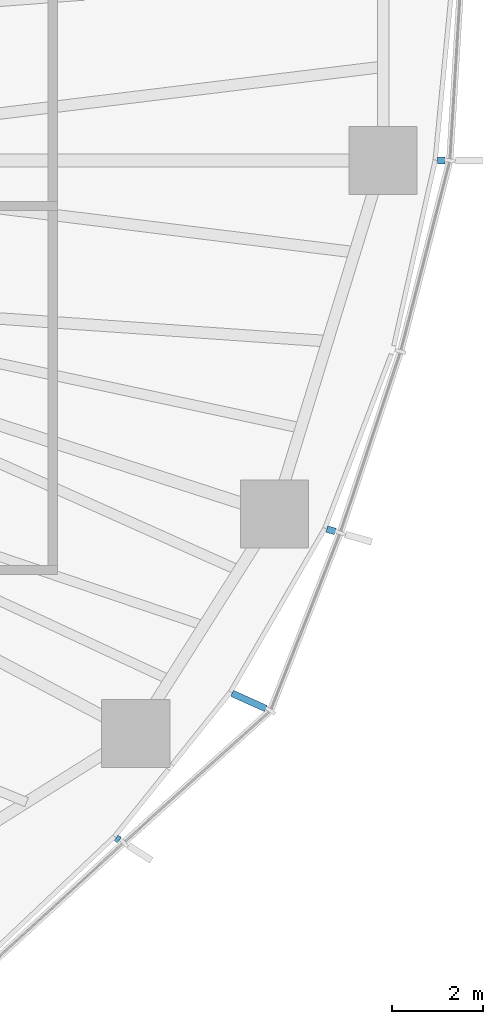
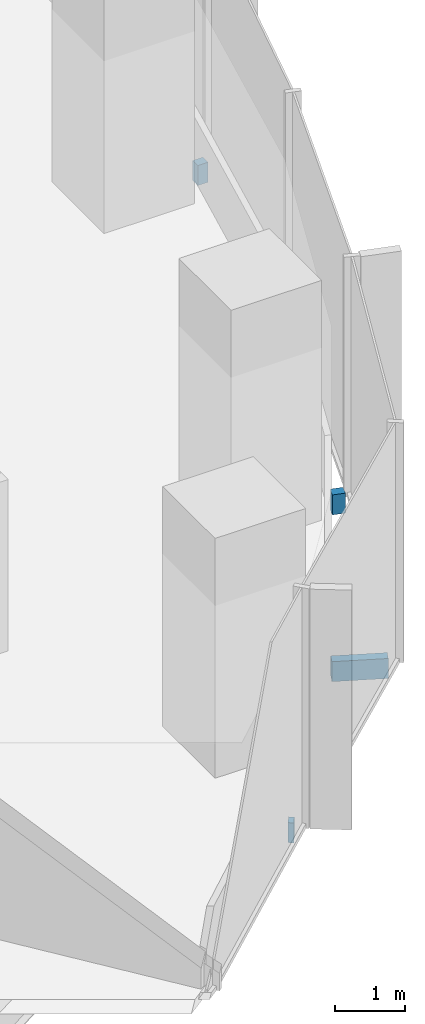
# One storey, part 14 of 18: 4 discrete accessories.
"""IFC4 building model written with IfcOpenShell, lengths in metres."""

from ifc_helpers import new_model, si_unit, direction, frame, origin, origin_2d, place, context, subcontext, project, spatial, rectangle, extrude, material, type_object, element, save


model = new_model("IFC4")

# Units and contexts
model_context = context("Model", 3, precision=1e-05, world=origin(), true_north=direction((0.0, 1.0)))
body_context = subcontext(model_context, "Body", "Model", "MODEL_VIEW")
ifc_project = project(units=[si_unit("LENGTHUNIT", "METRE"), si_unit("AREAUNIT", "SQUARE_METRE"), si_unit("VOLUMEUNIT", "CUBIC_METRE"), si_unit("PLANEANGLEUNIT", "RADIAN"), si_unit("MASSUNIT", "GRAM", prefix="KILO")], contexts=[model_context])

# Site, building, storey
site_placement = place(None, origin())
site = spatial("IfcSite", under=ifc_project, at=site_placement, CompositionType="ELEMENT")
building_placement = place(site_placement, origin())
building = spatial("IfcBuilding", under=site, at=building_placement, Name="Ghaith Harvest Tower", CompositionType="ELEMENT")
storey_placement = place(building_placement, frame((0.0, 0.0, 138.60009765625)))
storey = spatial("IfcBuildingStorey", under=building, at=storey_placement, Name="L29", CompositionType="ELEMENT", Elevation=138.60009765625)

# Discrete accessories
ifc_material_1 = material(Name="Stainless steel grade 1.4401", Category="steel")
discrete_accessory_type_1 = type_object("IfcDiscreteAccessoryType", Name="CURTAIN WALL BRACKET 165", PredefinedType="BRACKET", material=ifc_material_1)
discrete_accessory_1_placement = place(storey_placement, frame((30.5361328125, 0.0, -0.250244140625), z_axis=(0.0, 0.0, 1.0), x_axis=(1.0, 0.0, 0.0)))
element("IfcDiscreteAccessory", 1, at=discrete_accessory_1_placement, inside=storey, type_object=discrete_accessory_type_1, Name="CW-L bracket 1 bay 01 L29", PredefinedType="BRACKET", context=body_context, shape_type="SweptSolid", body=[
    extrude(rectangle(XDim=0.1650390625, YDim=0.14990234375, at=origin_2d()), origin(), (0.0, 0.0, 1.0), 0.35009765625),
])
ifc_material_2 = material(Name="Stainless steel grade 1.4401", Category="steel")
discrete_accessory_type_2 = type_object("IfcDiscreteAccessoryType", Name="CURTAIN WALL BRACKET 195", PredefinedType="BRACKET", material=ifc_material_2)
discrete_accessory_2_placement = place(storey_placement, frame((28.1201171875, -8.127197265625, -0.250244140625), z_axis=(0.0, 0.0, 1.0), x_axis=(0.960680349932, -0.277656739976, 0.0)))
element("IfcDiscreteAccessory", 2, at=discrete_accessory_2_placement, inside=storey, type_object=discrete_accessory_type_2, Name="CW-L bracket 1 bay 20 L29", PredefinedType="BRACKET", context=body_context, shape_type="SweptSolid", body=[
    extrude(rectangle(XDim=0.195068359375, YDim=0.14990234375, at=origin_2d()), origin(), (0.0, 0.0, 1.0), 0.35009765625),
])
ifc_material_3 = material(Name="Stainless steel grade 1.4401", Category="steel")
discrete_accessory_type_3 = type_object("IfcDiscreteAccessoryType", Name="CURTAIN WALL BRACKET 815", PredefinedType="BRACKET", material=ifc_material_3)
discrete_accessory_3_placement = place(storey_placement, frame((26.314697265625, -11.879638671875, -0.250244140625), z_axis=(0.0, 0.0, 1.0), x_axis=(0.911426750831, -0.41146236507, 0.0)))
element("IfcDiscreteAccessory", 3, at=discrete_accessory_3_placement, inside=storey, type_object=discrete_accessory_type_3, Name="CW-L bracket 2 bay 19 L29", PredefinedType="BRACKET", context=body_context, shape_type="SweptSolid", body=[
    extrude(rectangle(XDim=0.81494140625, YDim=0.14990234375, at=origin_2d()), origin(), (0.0, 0.0, 1.0), 0.35009765625),
])
ifc_material_4 = material(Name="Stainless steel grade 1.4401", Category="steel")
discrete_accessory_type_4 = type_object("IfcDiscreteAccessoryType", Name="CURTAIN WALL BRACKET 85", PredefinedType="BRACKET", material=ifc_material_4)
discrete_accessory_4_placement = place(storey_placement, frame((23.431884765625, -14.912353515625, -0.250244140625), z_axis=(0.0, 0.0, 1.0), x_axis=(0.84364397137, -0.536903016913, 0.0)))
element("IfcDiscreteAccessory", 4, at=discrete_accessory_4_placement, inside=storey, type_object=discrete_accessory_type_4, Name="CW-L bracket 1 bay 19 L29", PredefinedType="BRACKET", context=body_context, shape_type="SweptSolid", body=[
    extrude(rectangle(XDim=0.0849609375, YDim=0.14990234375, at=origin_2d()), origin(), (0.0, 0.0, 1.0), 0.35009765625),
])

save(model, "model.ifc")
